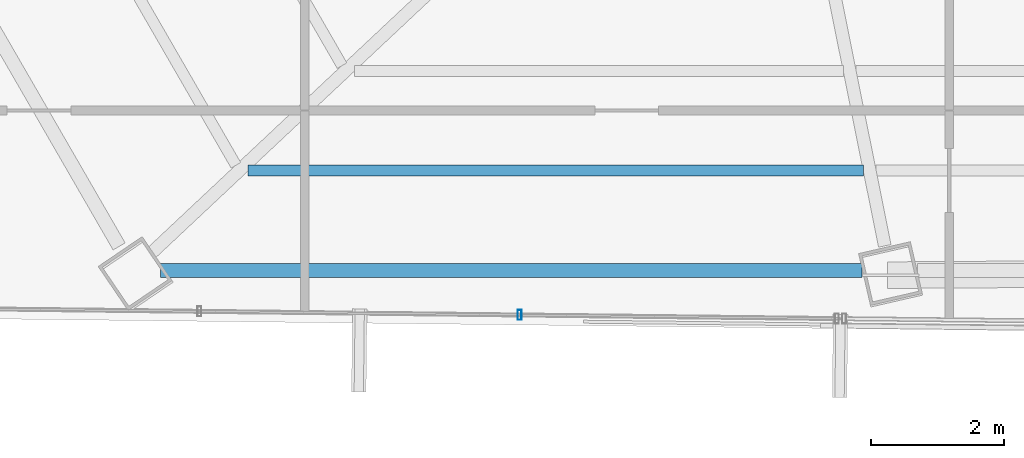
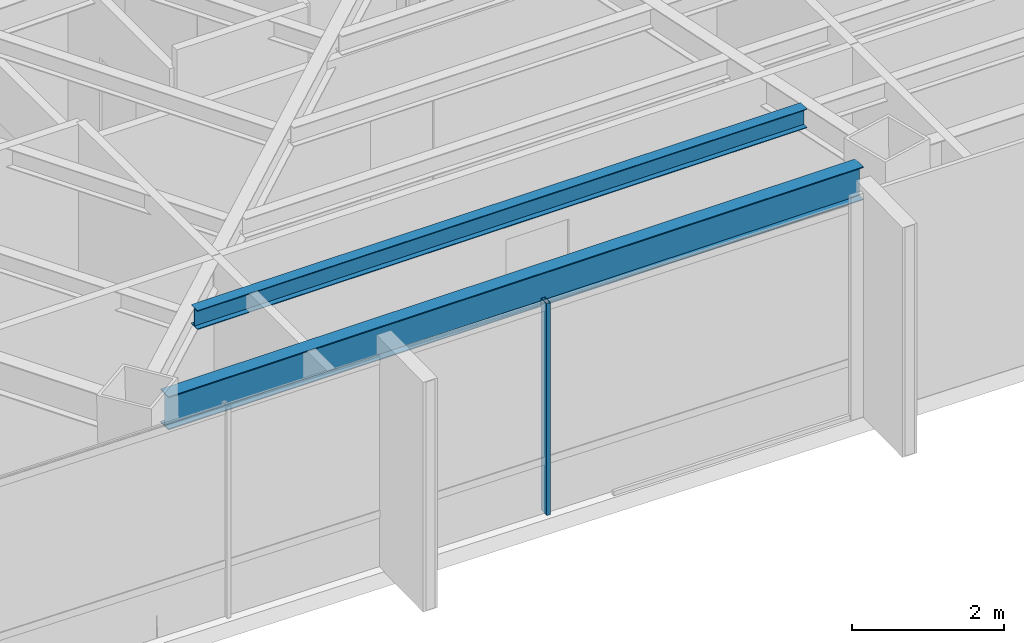
# One storey, part 5 of 42: 2 beams, 1 member, 1 element without a shape of its own.
"""IFC4 building model written with IfcOpenShell, lengths in metres."""

from ifc_helpers import new_model, si_unit, direction, frame, origin, origin_2d, place, context, subcontext, project, spatial, hollow_rectangle, i_section, extrude, source, transform, mapped, material, material_profile, profile_set, type_object, type_shapes, element, aggregate, save


model = new_model("IFC4")

# Units and contexts
model_context = context("Model", 3, precision=1e-05, world=origin(), true_north=direction((0.0, 1.0)))
body_context = subcontext(model_context, "Body", "Model", "MODEL_VIEW")
ifc_project = project(units=[si_unit("LENGTHUNIT", "METRE"), si_unit("AREAUNIT", "SQUARE_METRE"), si_unit("VOLUMEUNIT", "CUBIC_METRE"), si_unit("PLANEANGLEUNIT", "RADIAN"), si_unit("MASSUNIT", "GRAM", prefix="KILO")], contexts=[model_context])

# Site, building, storey
site_placement = place(None, origin())
site = spatial("IfcSite", under=ifc_project, at=site_placement, CompositionType="ELEMENT")
building_placement = place(site_placement, origin())
building = spatial("IfcBuilding", under=site, at=building_placement, Name="Caelisora Broadcast Tower", CompositionType="ELEMENT")
storey_placement = place(building_placement, frame((0.0, 0.0, 205.949951171875)))
storey = spatial("IfcBuildingStorey", under=building, at=storey_placement, Name="L54", CompositionType="ELEMENT", Elevation=205.949951171875)

# Beams
ifc_material_1 = material(Name="Steel Grade 350 (AS/NZS 3679.1)", Category="steel")
ifc_material_profile_1 = material_profile(ifc_material_1, i_section(OverallWidth=0.208984375, OverallDepth=0.532958984375, WebThickness=0.01025390625, FlangeThickness=0.015625, at=origin_2d()), Name="Steel Grade 350 (AS/NZS 3679.1)")
ifc_profile_set_1 = profile_set([ifc_material_profile_1], Name="Steel Grade 350 (AS/NZS 3679.1)")
beam_type_1 = type_object("IfcBeamType", Name="PG05", PredefinedType="BEAM", material=ifc_profile_set_1)
shared_shape_1 = source(origin(), body_context, "Body", "SweptSolid", [
    extrude(i_section(OverallWidth=0.208984375, OverallDepth=0.532958984375, WebThickness=0.01025390625, FlangeThickness=0.015625, at=origin_2d()), origin(), (0.0, 0.0, 1.0), 10.556884765625),
])
type_shapes(beam_type_1, [shared_shape_1])
beam_1_placement = place(storey_placement, frame((21.33251953125, 8.40478515625, 3.133544921875), z_axis=(1.0, 0.0, 0.0), x_axis=(0.0, 1.0, 0.0)))
element("IfcBeam", 1, at=beam_1_placement, inside=storey, type_object=beam_type_1, Name="L54 beam PG05", PredefinedType="BEAM", context=body_context, shape_type="MappedRepresentation", body=[
    mapped(shared_shape_1, transform((0.0, 0.0, 0.0), scale=1.0)),
])
ifc_material_profile_2 = material_profile(ifc_material_1, i_section(OverallWidth=0.166015625, OverallDepth=0.30712890625, WebThickness=0.006591796875, FlangeThickness=0.01171875, at=origin_2d()), Name="Steel Grade 350 (AS/NZS 3679.1)")
ifc_profile_set_2 = profile_set([ifc_material_profile_2], Name="Steel Grade 350 (AS/NZS 3679.1)")
beam_type_2 = type_object("IfcBeamType", Name="SB03", PredefinedType="JOIST", material=ifc_profile_set_2)
shared_shape_2 = source(origin(), body_context, "Body", "SweptSolid", [
    extrude(i_section(OverallWidth=0.166015625, OverallDepth=0.30712890625, WebThickness=0.006591796875, FlangeThickness=0.01171875, at=origin_2d()), origin(), (0.0, 0.0, 1.0), 9.260009765625),
])
type_shapes(beam_type_2, [shared_shape_2])
beam_2_placement = place(storey_placement, frame((22.650146484375, 9.904052734375, 3.246337890625), z_axis=(1.0, 0.0, 0.0), x_axis=(0.0, 1.0, 0.0)))
element("IfcBeam", 2, at=beam_2_placement, inside=storey, type_object=beam_type_2, Name="L54 beam SB03", PredefinedType="JOIST", context=body_context, shape_type="MappedRepresentation", body=[
    mapped(shared_shape_2, transform((0.0, 0.0, 0.0), scale=1.0)),
])

# Curtain wall, member
ifc_material_2 = material(Name="Unitised Aluminium and Low-E Glass Curtain Wall", Category="glass")
curtain_wall_type = type_object("IfcCurtainWallType", Name="CW-Z4", PredefinedType="NOTDEFINED", material=ifc_material_2)
curtain_wall_placement = place(storey_placement, origin())
curtain_wall = element("IfcCurtainWall", 3, at=curtain_wall_placement, inside=storey, type_object=curtain_wall_type, Name="L54 curtain wall CW-Z4", PredefinedType="NOTDEFINED")
ifc_material_3 = material(Name="Aluminium 6063-T6 Anodised Terracotta Bronze", Category="aluminium")
ifc_material_profile_3 = material_profile(ifc_material_3, hollow_rectangle(XDim=0.06005859375, YDim=0.14990234375, WallThickness=0.00341796875, at=origin_2d()), Name="Aluminium 6063-T6 Anodised Terracotta Bronze")
ifc_profile_set_3 = profile_set([ifc_material_profile_3], Name="Aluminium 6063-T6 Anodised Terracotta Bronze")
member_type = type_object("IfcMemberType", Name="CWM-03", PredefinedType="MULLION", material=ifc_profile_set_3)
shared_shape_3 = source(origin(), body_context, "Body", "SweptSolid", [
    extrude(hollow_rectangle(XDim=0.06005859375, YDim=0.14990234375, WallThickness=0.00341796875, at=origin_2d()), origin(), (0.0, 0.0, 1.0), 3.400146484375),
])
type_shapes(member_type, [shared_shape_3])
member_placement = place(storey_placement, frame((26.737548828125, 7.7333984375, 0.0), z_axis=(0.0, 0.0, 1.0), x_axis=(1.0, 0.0, 0.0)))
member = element("IfcMember", 4, at=member_placement, type_object=member_type, Name="L54-CW-B07 mullion #1", PredefinedType="MULLION", context=body_context, shape_type="MappedRepresentation", body=[
    mapped(shared_shape_3, transform((0.0, 0.0, 0.0), scale=1.0)),
])
aggregate(curtain_wall, [member])

save(model, "model.ifc")
